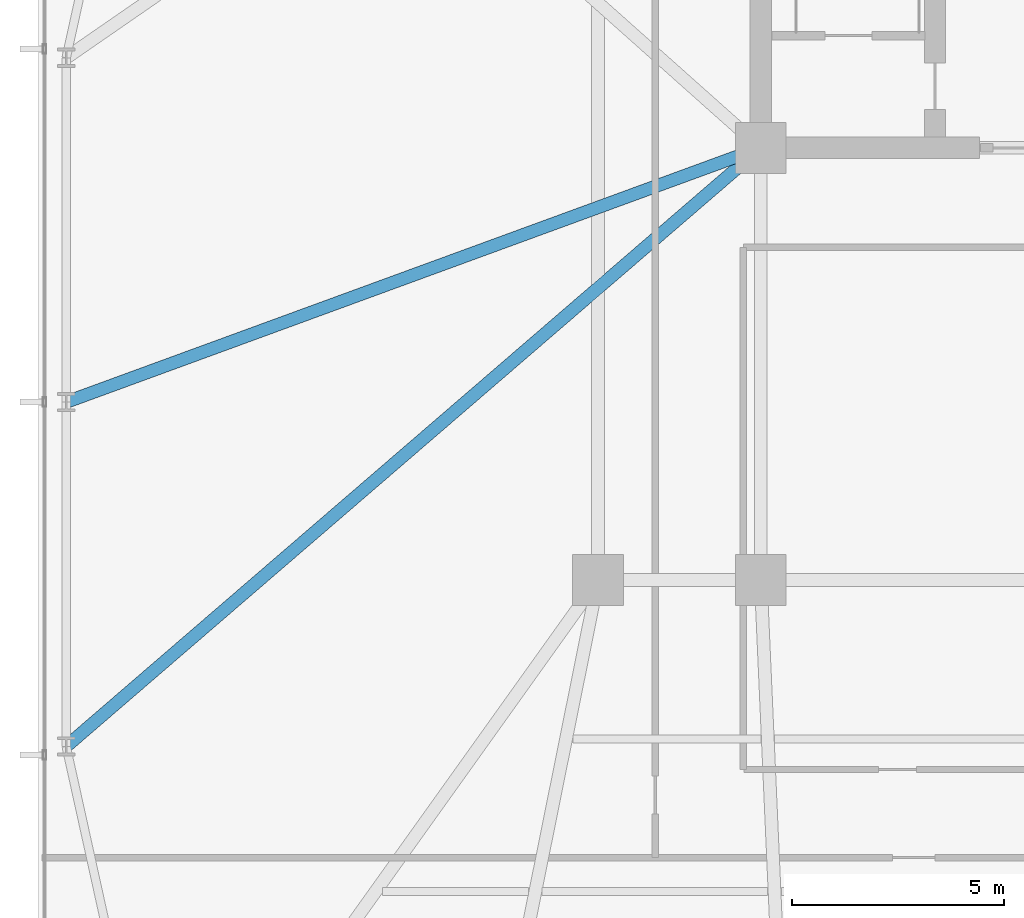
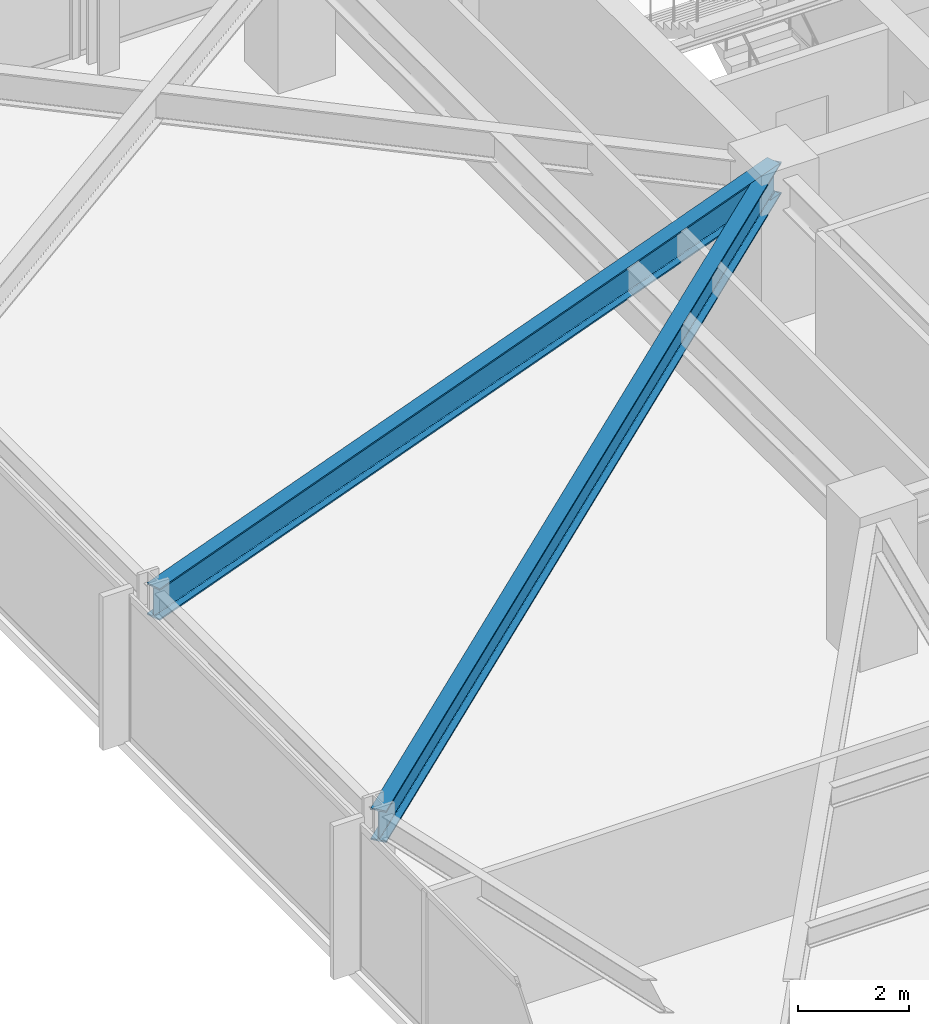
# One storey, part 8 of 32: 2 beams.
"""IFC4 building model written with IfcOpenShell, lengths in metres."""

import ifcopenshell
import ifcopenshell.guid

model = None  # the IFC model being written
_history = None  # IfcOwnerHistory: only IFC2X3 demands one
_inside = {}  # id of a spatial element -> (the spatial element, [elements in it])
_under = {}  # id of a project, library or spatial element -> (it, [spatial elements below it])
_declared = {}  # id of a project -> (the project, [libraries it declares])
_typed = {}  # id of a type object -> (the type object, [elements of that type])
_made_of = {}  # id of a material, layer set ... -> (it, [elements and type objects made of it])


def new_model(schema):
    """Start an empty IFC model of exactly this schema.

    Asked for "IFC4X3", IfcOpenShell would pick the latest addendum, in which some entities
    have other attributes; the version numbers below select the first issue.
    IFC2X3 requires an IfcOwnerHistory on every rooted entity: one is made here for all.
    """
    global model, _history
    if schema == "IFC4X3":
        model = ifcopenshell.file(schema_version=(4, 3, 0, 0))
    else:
        model = ifcopenshell.file(schema=schema)
    _inside.clear()
    _under.clear()
    _declared.clear()
    _typed.clear()
    _made_of.clear()
    _history = None
    if model.schema == "IFC2X3":
        org = make("IfcOrganization", Name="unknown")
        user = make(
            "IfcPersonAndOrganization",
            ThePerson=make("IfcPerson", FamilyName="unknown"),
            TheOrganization=org,
        )
        app = make(
            "IfcApplication",
            ApplicationDeveloper=org,
            Version="unknown",
            ApplicationFullName="unknown",
            ApplicationIdentifier="unknown",
        )
        _history = make(
            "IfcOwnerHistory",
            OwningUser=user,
            OwningApplication=app,
            ChangeAction="ADDED",
            CreationDate=0,
        )
    return model


def make(cls, **values):
    """One entity of the class cls with the attributes given. An attribute that is None is left unset."""
    return model.create_entity(
        cls, **{name: value for name, value in values.items() if value is not None}
    )


def rooted(cls, **values):
    """An entity with a GlobalId (a new one), such as an element, a storey or a relation."""
    return make(cls, GlobalId=ifcopenshell.guid.new(), OwnerHistory=_history, **values)


def si_unit(unit_type, name, prefix=None):
    """IfcSIUnit, for example si_unit("LENGTHUNIT", "METRE", prefix="MILLI")."""
    return make("IfcSIUnit", UnitType=unit_type, Prefix=prefix, Name=name)


def assignment(units):
    """IfcUnitAssignment: the units of a project."""
    return None if units is None else make("IfcUnitAssignment", Units=units)


def point(xyz):
    """IfcCartesianPoint."""
    return None if xyz is None else make("IfcCartesianPoint", Coordinates=xyz)


def direction(xyz):
    """IfcDirection."""
    return None if xyz is None else make("IfcDirection", DirectionRatios=xyz)


def frame(location, z_axis=None, x_axis=None):
    """IfcAxis2Placement3D, a coordinate frame: its origin and axes. An axis left out is left unset."""
    return make(
        "IfcAxis2Placement3D",
        Location=point(location),
        Axis=direction(z_axis),
        RefDirection=direction(x_axis),
    )


def frame_2d(location, x_axis=None):
    """IfcAxis2Placement2D, a coordinate frame in the plane: its origin and x axis."""
    return make(
        "IfcAxis2Placement2D", Location=point(location), RefDirection=direction(x_axis)
    )


def origin():
    """The frame at (0, 0, 0) with its axes left unset."""
    return frame((0.0, 0.0, 0.0))


def origin_2d():
    """The frame at (0, 0) in the plane with its x axis left unset."""
    return frame_2d((0.0, 0.0))


def place(relative_to, where):
    """IfcLocalPlacement: puts the frame where relative to a parent placement (None: the world)."""
    return make(
        "IfcLocalPlacement", PlacementRelTo=relative_to, RelativePlacement=where
    )


def context(
    kind, dimensions, precision=None, world=None, true_north=None, identifier=None
):
    """IfcGeometricRepresentationContext, for example the 3D "Model" context."""
    return make(
        "IfcGeometricRepresentationContext",
        ContextIdentifier=identifier,
        ContextType=kind,
        CoordinateSpaceDimension=dimensions,
        Precision=precision,
        WorldCoordinateSystem=world,
        TrueNorth=true_north,
    )


def subcontext(parent, identifier, kind, view, scale=None):
    """IfcGeometricRepresentationSubContext, for example "Body" below "Model"."""
    return make(
        "IfcGeometricRepresentationSubContext",
        ContextIdentifier=identifier,
        ContextType=kind,
        ParentContext=parent,
        TargetScale=scale,
        TargetView=view,
    )


def project(units=None, contexts=None):
    """IfcProject with its units and contexts."""
    return rooted(
        "IfcProject",
        Name="project",
        RepresentationContexts=contexts,
        UnitsInContext=assignment(units),
    )


def spatial(cls, under=None, at=None, **own):
    """A site, building, storey or space (cls), placed at a placement, below another one or the project."""
    s = rooted(cls, ObjectPlacement=at, **own)
    if under is not None:
        _under.setdefault(under.id(), (under, []))[1].append(s)
    return s


def profile(cls, at=None, kind="AREA", **sizes):
    """A parametric profile (cls). Its sizes go by their IFC names, for example OverallWidth=200.0."""
    return make(cls, ProfileType=kind, Position=at, **sizes)


def i_section(**sizes):
    """IfcIShapeProfileDef."""
    return profile("IfcIShapeProfileDef", **sizes)


def extrude(swept, where, along, depth):
    """IfcExtrudedAreaSolid: the profile swept, set in the frame where, extruded along a direction by depth."""
    return make(
        "IfcExtrudedAreaSolid",
        SweptArea=swept,
        Position=where,
        ExtrudedDirection=direction(along),
        Depth=depth,
    )


def shape(context_of_items, identifier, shape_type, items):
    """IfcShapeRepresentation: the items that make up one representation, for example the "Body"."""
    return make(
        "IfcShapeRepresentation",
        ContextOfItems=context_of_items,
        RepresentationIdentifier=identifier,
        RepresentationType=shape_type,
        Items=items,
    )


def material(Name=None, Category=None):
    """IfcMaterial."""
    return make("IfcMaterial", Name=Name, Category=Category)


def material_profile(
    of_material, cross_section, Name=None, Category=None, Priority=None
):
    """IfcMaterialProfile: a cross section and its material."""
    return make(
        "IfcMaterialProfile",
        Name=Name,
        Material=of_material,
        Profile=cross_section,
        Priority=Priority,
        Category=Category,
    )


def profile_set(profiles, Name=None, composite=None):
    """IfcMaterialProfileSet."""
    return make(
        "IfcMaterialProfileSet",
        Name=Name,
        MaterialProfiles=profiles,
        CompositeProfile=composite,
    )


def made_of(thing, what):
    """Note that an element or type object is made of a material, layer set ...; save() writes the relation."""
    if what is not None:
        _made_of.setdefault(what.id(), (what, []))[1].append(thing)
    return thing


def type_object(cls, material=None, **own):
    """A type object (cls), such as IfcWallType, which elements share."""
    return made_of(rooted(cls, **own), material)


def element(
    cls,
    number,
    at=None,
    inside=None,
    cuts=None,
    type_object=None,
    material=None,
    context=None,
    identifier="Body",
    shape_type=None,
    held_by="IfcProductDefinitionShape",
    body=None,
    shapes=None,
    **own,
):
    """One element of the class cls, such as IfcWall. Its Tag is "e" and its number.

    at: its placement. inside: the storey or other place that contains it. cuts: it is an
    opening in that element (IfcRelVoidsElement). A single representation is given by context,
    identifier, shape_type and body (its items); several are given by shapes. held_by: the class
    of the entity that holds the representations. save() writes the other relations.
    """
    e = rooted(cls, Tag="e%d" % number, ObjectPlacement=at, **own)
    if body is not None:
        shapes = [shape(context, identifier, shape_type, body)]
    if shapes is not None:
        e.Representation = make(held_by, Representations=shapes)
    if inside is not None:
        _inside.setdefault(inside.id(), (inside, []))[1].append(e)
    if cuts is not None:
        rooted(
            "IfcRelVoidsElement", RelatingBuildingElement=cuts, RelatedOpeningElement=e
        )
    if type_object is not None:
        _typed.setdefault(type_object.id(), (type_object, []))[1].append(e)
    return made_of(e, material)


def aggregate(whole, parts):
    """IfcRelAggregates: a whole, such as a stair, and the parts it consists of."""
    return rooted("IfcRelAggregates", RelatingObject=whole, RelatedObjects=parts)


def save(model, path):
    """Write the relations noted so far, then the file.

    IfcRelAggregates (storeys below a building ...), IfcRelContainedInSpatialStructure (elements
    in a storey), IfcRelDefinesByType, IfcRelAssociatesMaterial and IfcRelDeclares: one each for
    every whole, place, type object, material and project.
    """
    for whole, parts in _under.values():
        aggregate(whole, parts)
    for where, things in _inside.values():
        rooted(
            "IfcRelContainedInSpatialStructure",
            RelatedElements=things,
            RelatingStructure=where,
        )
    for kind, things in _typed.values():
        rooted("IfcRelDefinesByType", RelatedObjects=things, RelatingType=kind)
    for what, things in _made_of.values():
        rooted("IfcRelAssociatesMaterial", RelatedObjects=things, RelatingMaterial=what)
    for by, libraries in _declared.values():
        rooted("IfcRelDeclares", RelatingContext=by, RelatedDefinitions=libraries)
    model.write(path)


model = new_model("IFC4")

# Units and contexts
model_context = context("Model", 3, precision=1e-05, world=origin(), true_north=direction((0.0, 1.0)))
body_context = subcontext(model_context, "Body", "Model", "MODEL_VIEW")
ifc_project = project(units=[si_unit("LENGTHUNIT", "METRE"), si_unit("AREAUNIT", "SQUARE_METRE"), si_unit("VOLUMEUNIT", "CUBIC_METRE"), si_unit("PLANEANGLEUNIT", "RADIAN"), si_unit("MASSUNIT", "GRAM", prefix="KILO")], contexts=[model_context])

# Site, building, storey
site_placement = place(None, origin())
site = spatial("IfcSite", under=ifc_project, at=site_placement, CompositionType="ELEMENT")
building_placement = place(site_placement, origin())
building = spatial("IfcBuilding", under=site, at=building_placement, Name="Yelkora Congress Tower", CompositionType="ELEMENT")
storey_placement = place(building_placement, frame((0.0, 0.0, 33.800048828125)))
storey = spatial("IfcBuildingStorey", under=building, at=storey_placement, Name="L07", CompositionType="ELEMENT", Elevation=33.800048828125)

# Beams
ifc_material = material(Name="Steel S355J2", Category="steel")
ifc_material_profile = material_profile(ifc_material, i_section(OverallWidth=0.300048828125, OverallDepth=0.699951171875, WebThickness=0.01708984375, FlangeThickness=0.031982421875, FilletRadius=0.027099609375, at=origin_2d()), Name="HEB 700")
ifc_profile_set = profile_set([ifc_material_profile], Name="Steel S355J2")
beam_type = type_object("IfcBeamType", Name="BM-GIRD-HEB700", PredefinedType="BEAM", material=ifc_profile_set)
beam_1_placement = place(storey_placement, frame((6.64990234375, 21.27490234375, 2.829833984375), z_axis=(0.757511165967, 0.652822206604, 0.0), x_axis=(-0.652822206604, 0.757511165967, 0.0)))
element("IfcBeam", 1, at=beam_1_placement, inside=storey, type_object=beam_type, Name="L07 Primary Frame Girder W01", PredefinedType="BEAM", context=body_context, shape_type="SweptSolid", body=[
    extrude(i_section(OverallWidth=0.300048828125, OverallDepth=0.699951171875, WebThickness=0.01708984375, FlangeThickness=0.031982421875, FilletRadius=0.027099609375, at=origin_2d()), origin(), (0.0, 0.0, 1.0), 21.63671875),
])
beam_2_placement = place(storey_placement, frame((6.64990234375, 29.39990234375, 2.829833984375), z_axis=(0.939056124561, 0.343763865064, 0.0), x_axis=(-0.343763865064, 0.939056124561, 0.0)))
element("IfcBeam", 2, at=beam_2_placement, inside=storey, type_object=beam_type, Name="L07 Primary Frame Girder W02", PredefinedType="BEAM", context=body_context, shape_type="SweptSolid", body=[
    extrude(i_section(OverallWidth=0.300048828125, OverallDepth=0.699951171875, WebThickness=0.01708984375, FlangeThickness=0.031982421875, FilletRadius=0.027099609375, at=origin_2d()), origin(), (0.0, 0.0, 1.0), 17.453857421875),
])

save(model, "model.ifc")
